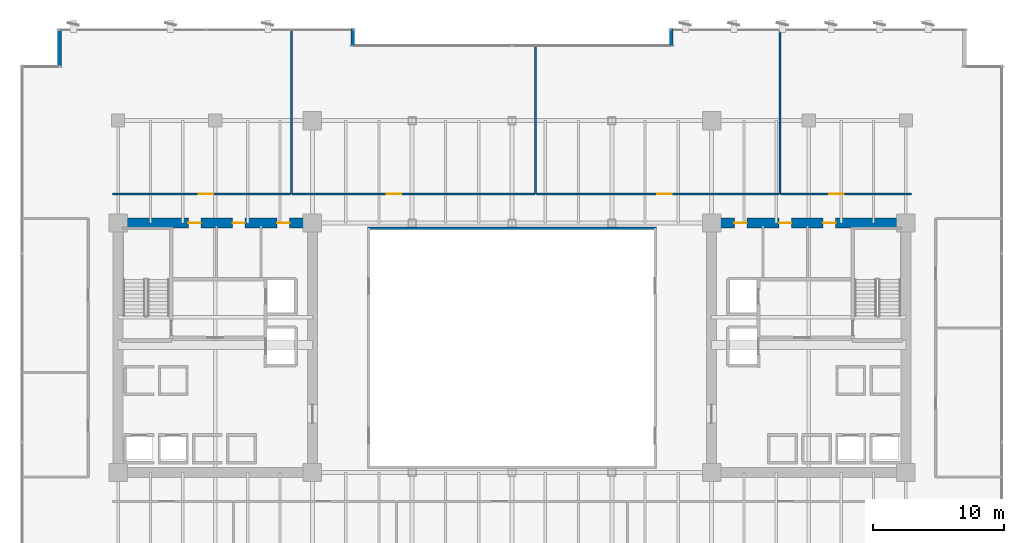
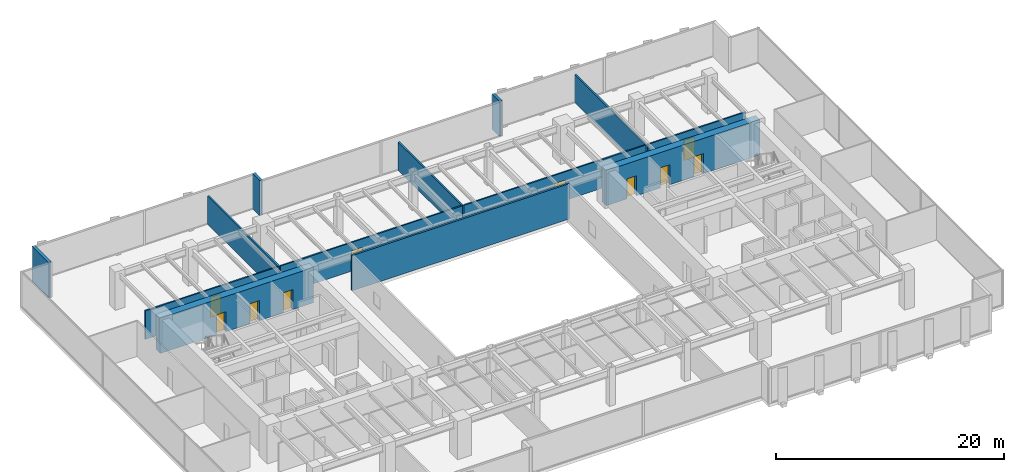
# One storey, part 31 of 36: 13 walls, 10 doors, 10 openings.
"""IFC4 building model written with IfcOpenShell, lengths in metres."""

from ifc_helpers import new_model, si_unit, direction, frame, frame_2d, origin, place, context, subcontext, project, spatial, rectangle, extrude, source, transform, mapped, material, layer, layer_set, type_object, type_shapes, element, fill, save


model = new_model("IFC4")

# Units and contexts
model_context = context("Model", 3, precision=1e-05, world=origin(), true_north=direction((0.0, 1.0)))
body_context = subcontext(model_context, "Body", "Model", "MODEL_VIEW")
ifc_project = project(units=[si_unit("LENGTHUNIT", "METRE"), si_unit("AREAUNIT", "SQUARE_METRE"), si_unit("VOLUMEUNIT", "CUBIC_METRE"), si_unit("PLANEANGLEUNIT", "RADIAN"), si_unit("MASSUNIT", "GRAM", prefix="KILO")], contexts=[model_context])

# Site, building, storey
site_placement = place(None, origin())
site = spatial("IfcSite", under=ifc_project, at=site_placement, CompositionType="ELEMENT")
building_placement = place(site_placement, origin())
building = spatial("IfcBuilding", under=site, at=building_placement, Name="Haelvirn Gate Laboratories", CompositionType="ELEMENT")
storey_placement = place(building_placement, frame((0.0, 0.0, 29.300048828125)))
storey = spatial("IfcBuildingStorey", under=building, at=storey_placement, Name="L07", CompositionType="ELEMENT", Elevation=29.300048828125)

# Walls
ifc_material_1 = material(Name="Thermally-broken bronze aluminium rainscreen & mineral wool", Category="aluminium")
ifc_layer_1 = layer(ifc_material_1, 0.280029296875, Name="EW-TERR-280")
ifc_layer_set_1 = layer_set([ifc_layer_1], Name="Thermally-broken bronze aluminium rainscreen & mineral wool")
wall_type_1 = type_object("IfcWallType", Name="EW-TERR-280", PredefinedType="STANDARD", material=ifc_layer_set_1)
for number, where, z_axis, x_axis, name in (
    (1, (49.5400390625, 48.60009765625, 0.0), (0.0, 0.0, 1.0), (0.0, -1.0, 0.0), "L07 Atrium Recess Bronze Return Wall 11"),
    (2, (25.260009765625, 47.31201171875, 0.0), (0.0, 0.0, 1.0), (0.0, 1.0, 0.0), "L07 Atrium Recess Bronze Return Wall 13"),
):
    element("IfcWall", number, at=place(storey_placement, frame(where, z_axis=z_axis, x_axis=x_axis)), inside=storey, type_object=wall_type_1, Name=name, PredefinedType="STANDARD", context=body_context, shape_type="SweptSolid", body=[
        extrude(rectangle(XDim=1.2880859375, YDim=0.280029296875, at=frame_2d((0.64404296875, 0.0))), origin(), (0.0, 0.0, 1.0), 3.780029296875),
    ])
wall_1_placement = place(storey_placement, frame((2.93994140625, 48.60009765625, 0.0), z_axis=(0.0, 0.0, 1.0), x_axis=(0.0, -1.0, 0.0)))
element("IfcWall", 3, at=wall_1_placement, inside=storey, type_object=wall_type_1, Name="L07 Atrium Recess Bronze Return Wall 15", PredefinedType="STANDARD", context=body_context, shape_type="SweptSolid", body=[
    extrude(rectangle(XDim=2.88818359375, YDim=0.280029296875, at=frame_2d((1.444091796875, 0.0))), origin(), (0.0, 0.0, 1.0), 3.780029296875),
])
ifc_material_2 = material(Name="Double-layer acoustic gypsum laboratory partition", Category="gypsum")
ifc_layer_2 = layer(ifc_material_2, 0.159912109375, Name="IW-ACOUST-160")
ifc_layer_set_2 = layer_set([ifc_layer_2], Name="Double-layer acoustic gypsum laboratory partition")
wall_type_2 = type_object("IfcWallType", Name="IW-ACOUST-160", PredefinedType="PARTITIONING", material=ifc_layer_set_2)
wall_2_placement = place(storey_placement, frame((20.60009765625, 36.010009765625, 0.0), z_axis=(0.0, 0.0, 1.0), x_axis=(0.0, 1.0, 0.0)))
element("IfcWall", 4, at=wall_2_placement, inside=storey, type_object=wall_type_2, Name="L07 Interior Wall IW-L07-NDIV-01", PredefinedType="PARTITIONING", context=body_context, shape_type="SweptSolid", body=[
    extrude(rectangle(XDim=12.47998046875, YDim=0.159912109375, at=frame_2d((6.239990234375, 0.0))), origin(), (0.0, 0.0, 1.0), 3.014892578125),
])
wall_3_placement = place(storey_placement, frame((39.199951171875, 36.010009765625, 0.0), z_axis=(0.0, 0.0, 1.0), x_axis=(0.0, 1.0, 0.0)))
element("IfcWall", 5, at=wall_3_placement, inside=storey, type_object=wall_type_2, Name="L07 Interior Wall IW-L07-NDIV-02", PredefinedType="PARTITIONING", context=body_context, shape_type="SweptSolid", body=[
    extrude(rectangle(XDim=11.280029296875, YDim=0.159912109375, at=frame_2d((5.64013671875, 0.0))), origin(), (0.0, 0.0, 1.0), 3.014892578125),
])
wall_4_placement = place(storey_placement, frame((57.800048828125, 36.010009765625, 0.0), z_axis=(0.0, 0.0, 1.0), x_axis=(0.0, 1.0, 0.0)))
element("IfcWall", 6, at=wall_4_placement, inside=storey, type_object=wall_type_2, Name="L07 Interior Wall IW-L07-NDIV-03", PredefinedType="PARTITIONING", context=body_context, shape_type="SweptSolid", body=[
    extrude(rectangle(XDim=12.47998046875, YDim=0.159912109375, at=frame_2d((6.239990234375, 0.0))), origin(), (0.0, 0.0, 1.0), 3.014892578125),
])
ifc_material_3 = material(Name="Tempered fire-rated borosilicate glass & anodised aluminium", Category="aluminium")
ifc_layer_3 = layer(ifc_material_3, 0.195068359375, Name="IW-GLAZ-200")
ifc_layer_set_3 = layer_set([ifc_layer_3], Name="Tempered fire-rated borosilicate glass & anodised aluminium")
wall_type_3 = type_object("IfcWallType", Name="IW-GLAZ-200", PredefinedType="SOLIDWALL", material=ifc_layer_set_3)
wall_5_placement = place(storey_placement, frame((26.39990234375, 33.39990234375, 0.0), z_axis=(0.0, 0.0, 1.0), x_axis=(1.0, 0.0, 0.0)))
element("IfcWall", 7, at=wall_5_placement, inside=storey, type_object=wall_type_3, Name="L07 Interior Wall IW-L07-ATRIUM-N", PredefinedType="SOLIDWALL", context=body_context, shape_type="SweptSolid", body=[
    extrude(rectangle(XDim=22.0, YDim=0.195068359375, at=frame_2d((11.0, 0.0))), origin(), (0.0, 0.0, 1.0), 3.780029296875),
])

# Wall, opening, door
ifc_material_4 = material(Name="Acoustic mineral-wool gypsum board partition", Category="gypsum")
ifc_layer_4 = layer(ifc_material_4, 0.139892578125, Name="IW-PART-140")
ifc_layer_set_4 = layer_set([ifc_layer_4], Name="Acoustic mineral-wool gypsum board partition")
wall_type_4 = type_object("IfcWallType", Name="IW-PART-140", PredefinedType="PARTITIONING", material=ifc_layer_set_4)
wall_6_placement = place(storey_placement, frame((6.97998046875, 36.010009765625, 0.0), z_axis=(0.0, 0.0, 1.0), x_axis=(1.0, 0.0, 0.0)))
wall_6 = element("IfcWall", 8, at=wall_6_placement, inside=storey, type_object=wall_type_4, Name="L07 Interior Wall IW-L07-NCORR-01", PredefinedType="PARTITIONING", context=body_context, shape_type="SweptSolid", body=[
    extrude(rectangle(XDim=13.5400390625, YDim=0.139892578125, at=frame_2d((6.77001953125, 0.0))), origin(), (0.0, 0.0, 1.0), 3.06494140625),
])
opening_1_placement = place(wall_6_placement, frame((6.572265625, 0.0, 0.0)))
opening_1 = element("IfcOpeningElement", 9, at=opening_1_placement, cuts=wall_6, Name="Opening D1", PredefinedType="OPENING", context=body_context, shape_type="SweptSolid", body=[
    extrude(rectangle(XDim=1.10009765625, YDim=2.179931640625, at=frame_2d((0.550048828125, 1.08984375))), frame((0.0, 0.080078125, 0.0), z_axis=(0.0, -1.0, 0.0), x_axis=(1.0, 0.0, 0.0)), (0.0, 0.0, 1.0), 0.159912109375),
])
ifc_material_5 = material(Name="Vision-panel acoustic solid-core timber lab door", Category="wood")
door_type_1 = type_object("IfcDoorType", Name="DR-LAB-1100", OperationType="NOTDEFINED", PredefinedType="DOOR", material=ifc_material_5)
shared_shape_1 = source(origin(), body_context, "Body", "SweptSolid", [
    extrude(rectangle(XDim=1.10009765625, YDim=2.179931640625, at=frame_2d((0.550048828125, 1.08984375))), frame((0.0, 0.02490234375, 0.0), z_axis=(0.0, -1.0, 0.0), x_axis=(1.0, 0.0, 0.0)), (0.0, 0.0, 1.0), 0.050048828125),
])
type_shapes(door_type_1, [shared_shape_1])
door_1_placement = place(opening_1_placement, origin())
door_1 = element("IfcDoor", 10, at=door_1_placement, inside=storey, type_object=door_type_1, Name="L07 Researcher Break Pantry Door N1", OperationType="SINGLE_SWING_LEFT", OverallHeight=2.179931640625, OverallWidth=1.10009765625, PredefinedType="DOOR", context=body_context, shape_type="MappedRepresentation", body=[
    mapped(shared_shape_1, transform((0.0, 0.0, 0.0), scale=1.0)),
])
fill(opening_1, door_1)

wall_7_placement = place(storey_placement, frame((20.679931640625, 36.010009765625, 0.0), z_axis=(0.0, 0.0, 1.0), x_axis=(1.0, 0.0, 0.0)))
wall_7 = element("IfcWall", 11, at=wall_7_placement, inside=storey, type_object=wall_type_4, Name="L07 Interior Wall IW-L07-NCORR-02", PredefinedType="PARTITIONING", context=body_context, shape_type="SweptSolid", body=[
    extrude(rectangle(XDim=18.440185546875, YDim=0.139892578125, at=frame_2d((9.22021484375, 0.0))), origin(), (0.0, 0.0, 1.0), 3.06494140625),
])
opening_2_placement = place(wall_7_placement, frame((7.17236328125, 0.0, 0.0)))
opening_2 = element("IfcOpeningElement", 12, at=opening_2_placement, cuts=wall_7, Name="Opening D1", PredefinedType="OPENING", context=body_context, shape_type="SweptSolid", body=[
    extrude(rectangle(XDim=1.10009765625, YDim=2.179931640625, at=frame_2d((0.550048828125, 1.08984375))), frame((0.0, 0.080078125, 0.0), z_axis=(0.0, -1.0, 0.0), x_axis=(1.0, 0.0, 0.0)), (0.0, 0.0, 1.0), 0.159912109375),
])
door_2_placement = place(opening_2_placement, origin())
door_2 = element("IfcDoor", 13, at=door_2_placement, inside=storey, type_object=door_type_1, Name="L07 Floor Hydration & Tea Servery Door N2", OperationType="SINGLE_SWING_RIGHT", OverallHeight=2.179931640625, OverallWidth=1.10009765625, PredefinedType="DOOR", context=body_context, shape_type="MappedRepresentation", body=[
    mapped(shared_shape_1, transform((0.0, 0.0, 0.0), scale=1.0)),
])
fill(opening_2, door_2)

wall_8_placement = place(storey_placement, frame((39.280029296875, 36.010009765625, 0.0), z_axis=(0.0, 0.0, 1.0), x_axis=(1.0, 0.0, 0.0)))
wall_8 = element("IfcWall", 14, at=wall_8_placement, inside=storey, type_object=wall_type_4, Name="L07 Interior Wall IW-L07-NCORR-03", PredefinedType="PARTITIONING", context=body_context, shape_type="SweptSolid", body=[
    extrude(rectangle(XDim=18.43994140625, YDim=0.139892578125, at=frame_2d((9.219970703125, 0.0))), origin(), (0.0, 0.0, 1.0), 3.06494140625),
])
opening_3_placement = place(wall_8_placement, frame((9.169189453125, 0.0, 0.0)))
opening_3 = element("IfcOpeningElement", 15, at=opening_3_placement, cuts=wall_8, Name="Opening D1", PredefinedType="OPENING", context=body_context, shape_type="SweptSolid", body=[
    extrude(rectangle(XDim=1.10009765625, YDim=2.179931640625, at=frame_2d((0.550048828125, 1.08984375))), frame((0.0, 0.080078125, 0.0), z_axis=(0.0, -1.0, 0.0), x_axis=(1.0, 0.0, 0.0)), (0.0, 0.0, 1.0), 0.159912109375),
])
door_3_placement = place(opening_3_placement, origin())
door_3 = element("IfcDoor", 16, at=door_3_placement, inside=storey, type_object=door_type_1, Name="L07 Genomics Assay Laboratory Door N3", OperationType="SINGLE_SWING_LEFT", OverallHeight=2.179931640625, OverallWidth=1.10009765625, PredefinedType="DOOR", context=body_context, shape_type="MappedRepresentation", body=[
    mapped(shared_shape_1, transform((0.0, 0.0, 0.0), scale=1.0)),
])
fill(opening_3, door_3)

wall_9_placement = place(storey_placement, frame((57.8798828125, 36.010009765625, 0.0), z_axis=(0.0, 0.0, 1.0), x_axis=(1.0, 0.0, 0.0)))
wall_9 = element("IfcWall", 17, at=wall_9_placement, inside=storey, type_object=wall_type_4, Name="L07 Interior Wall IW-L07-NCORR-04", PredefinedType="PARTITIONING", context=body_context, shape_type="SweptSolid", body=[
    extrude(rectangle(XDim=9.940185546875, YDim=0.139892578125, at=frame_2d((4.97021484375, 0.0))), origin(), (0.0, 0.0, 1.0), 3.06494140625),
])
opening_4_placement = place(wall_9_placement, frame((3.6875, 0.0, 0.0)))
opening_4 = element("IfcOpeningElement", 18, at=opening_4_placement, cuts=wall_9, Name="Opening D1", PredefinedType="OPENING", context=body_context, shape_type="SweptSolid", body=[
    extrude(rectangle(XDim=1.10009765625, YDim=2.179931640625, at=frame_2d((0.550048828125, 1.08984375))), frame((0.0, 0.080078125, 0.0), z_axis=(0.0, -1.0, 0.0), x_axis=(1.0, 0.0, 0.0)), (0.0, 0.0, 1.0), 0.159912109375),
])
door_4_placement = place(opening_4_placement, origin())
door_4 = element("IfcDoor", 19, at=door_4_placement, inside=storey, type_object=door_type_1, Name="L07 Proteomics Mass-Spec Laboratory Door N4", OperationType="SINGLE_SWING_RIGHT", OverallHeight=2.179931640625, OverallWidth=1.10009765625, PredefinedType="DOOR", context=body_context, shape_type="MappedRepresentation", body=[
    mapped(shared_shape_1, transform((0.0, 0.0, 0.0), scale=1.0)),
])
fill(opening_4, door_4)

# Wall, openings, doors
ifc_material_6 = material(Name="Concrete C70/85", Category="concrete")
ifc_layer_5 = layer(ifc_material_6, 0.75, Name="SW-CORE-750")
ifc_layer_set_5 = layer_set([ifc_layer_5], Name="Concrete C70/85")
wall_type_5 = type_object("IfcWallType", Name="SW-CORE-750", PredefinedType="SHEAR", material=ifc_layer_set_5)
wall_10_placement = place(storey_placement, frame((7.02490234375, 33.800048828125, 0.0), z_axis=(0.0, 0.0, 1.0), x_axis=(1.0, 0.0, 0.0)))
wall_10 = element("IfcWall", 20, at=wall_10_placement, inside=storey, type_object=wall_type_5, Name="L07 W Core Shear Wall N", PredefinedType="SHEAR", context=body_context, shape_type="SweptSolid", body=[
    extrude(rectangle(XDim=15.550048828125, YDim=0.75, at=frame_2d((7.77490234375, 0.0))), origin(), (0.0, 0.0, 1.0), 3.780029296875),
])
opening_5_placement = place(wall_10_placement, frame((5.72509765625, 0.0, 0.0)))
opening_5 = element("IfcOpeningElement", 21, at=opening_5_placement, cuts=wall_10, Name="Opening FD4", PredefinedType="OPENING", context=body_context, shape_type="SweptSolid", body=[
    extrude(rectangle(XDim=0.949951171875, YDim=2.14990234375, at=frame_2d((0.47509765625, 1.074951171875))), frame((0.0, 0.385009765625, 0.0), z_axis=(0.0, -1.0, 0.0), x_axis=(1.0, 0.0, 0.0)), (0.0, 0.0, 1.0), 0.77001953125),
])
opening_6_placement = place(wall_10_placement, frame((9.090087890625, 0.0, 0.0)))
opening_6 = element("IfcOpeningElement", 22, at=opening_6_placement, cuts=wall_10, Name="Opening FD4", PredefinedType="OPENING", context=body_context, shape_type="SweptSolid", body=[
    extrude(rectangle(XDim=0.949951171875, YDim=2.14990234375, at=frame_2d((0.47509765625, 1.074951171875))), frame((0.0, 0.385009765625, 0.0), z_axis=(0.0, -1.0, 0.0), x_axis=(1.0, 0.0, 0.0)), (0.0, 0.0, 1.0), 0.77001953125),
])
opening_7_placement = place(wall_10_placement, frame((12.489990234375, 0.0, 0.0)))
opening_7 = element("IfcOpeningElement", 23, at=opening_7_placement, cuts=wall_10, Name="Opening FD4", PredefinedType="OPENING", context=body_context, shape_type="SweptSolid", body=[
    extrude(rectangle(XDim=0.949951171875, YDim=2.14990234375, at=frame_2d((0.47509765625, 1.074951171875))), frame((0.0, 0.385009765625, 0.0), z_axis=(0.0, -1.0, 0.0), x_axis=(1.0, 0.0, 0.0)), (0.0, 0.0, 1.0), 0.77001953125),
])
ifc_material_7 = material(Name="Fire-rated steel SM355 core service door", Category="steel")
door_type_2 = type_object("IfcDoorType", Name="DR-FD-950", OperationType="NOTDEFINED", PredefinedType="DOOR", material=ifc_material_7)
shared_shape_2 = source(origin(), body_context, "Body", "SweptSolid", [
    extrude(rectangle(XDim=0.949951171875, YDim=2.14990234375, at=frame_2d((0.47509765625, 1.074951171875))), frame((0.0, 0.02490234375, 0.0), z_axis=(0.0, -1.0, 0.0), x_axis=(1.0, 0.0, 0.0)), (0.0, 0.0, 1.0), 0.050048828125),
])
type_shapes(door_type_2, [shared_shape_2])
door_5_placement = place(opening_5_placement, origin())
door_5 = element("IfcDoor", 24, at=door_5_placement, inside=storey, type_object=door_type_2, Name="L07 Male Restroom Fire Door", OperationType="SINGLE_SWING_RIGHT", OverallHeight=2.14990234375, OverallWidth=0.949951171875, PredefinedType="DOOR", context=body_context, shape_type="MappedRepresentation", body=[
    mapped(shared_shape_2, transform((0.0, 0.0, 0.0), scale=1.0)),
])
fill(opening_5, door_5)
door_6_placement = place(opening_6_placement, origin())
door_6 = element("IfcDoor", 25, at=door_6_placement, inside=storey, type_object=door_type_2, Name="L07 Female Restroom Fire Door", OperationType="SINGLE_SWING_LEFT", OverallHeight=2.14990234375, OverallWidth=0.949951171875, PredefinedType="DOOR", context=body_context, shape_type="MappedRepresentation", body=[
    mapped(shared_shape_2, transform((0.0, 0.0, 0.0), scale=1.0)),
])
fill(opening_6, door_6)
door_7_placement = place(opening_7_placement, origin())
door_7 = element("IfcDoor", 26, at=door_7_placement, inside=storey, type_object=door_type_2, Name="L07 Accessible Restroom Fire Door", OperationType="SINGLE_SWING_RIGHT", OverallHeight=2.14990234375, OverallWidth=0.949951171875, PredefinedType="DOOR", context=body_context, shape_type="MappedRepresentation", body=[
    mapped(shared_shape_2, transform((0.0, 0.0, 0.0), scale=1.0)),
])
fill(opening_7, door_7)

wall_11_placement = place(storey_placement, frame((52.22509765625, 33.800048828125, 0.0), z_axis=(0.0, 0.0, 1.0), x_axis=(1.0, 0.0, 0.0)))
wall_11 = element("IfcWall", 27, at=wall_11_placement, inside=storey, type_object=wall_type_5, Name="L07 E Core Shear Wall N", PredefinedType="SHEAR", context=body_context, shape_type="SweptSolid", body=[
    extrude(rectangle(XDim=15.5498046875, YDim=0.75, at=frame_2d((7.77490234375, 0.0))), origin(), (0.0, 0.0, 1.0), 3.780029296875),
])
opening_8_placement = place(wall_11_placement, frame((8.875, 0.0, 0.0)))
opening_8 = element("IfcOpeningElement", 28, at=opening_8_placement, cuts=wall_11, Name="Opening FD4", PredefinedType="OPENING", context=body_context, shape_type="SweptSolid", body=[
    extrude(rectangle(XDim=0.949951171875, YDim=2.14990234375, at=frame_2d((0.47509765625, 1.074951171875))), frame((0.0, 0.385009765625, 0.0), z_axis=(0.0, -1.0, 0.0), x_axis=(1.0, 0.0, 0.0)), (0.0, 0.0, 1.0), 0.77001953125),
])
opening_9_placement = place(wall_11_placement, frame((5.510009765625, 0.0, 0.0)))
opening_9 = element("IfcOpeningElement", 29, at=opening_9_placement, cuts=wall_11, Name="Opening FD4", PredefinedType="OPENING", context=body_context, shape_type="SweptSolid", body=[
    extrude(rectangle(XDim=0.949951171875, YDim=2.14990234375, at=frame_2d((0.47509765625, 1.074951171875))), frame((0.0, 0.385009765625, 0.0), z_axis=(0.0, -1.0, 0.0), x_axis=(1.0, 0.0, 0.0)), (0.0, 0.0, 1.0), 0.77001953125),
])
opening_10_placement = place(wall_11_placement, frame((2.110107421875, 0.0, 0.0)))
opening_10 = element("IfcOpeningElement", 30, at=opening_10_placement, cuts=wall_11, Name="Opening FD4", PredefinedType="OPENING", context=body_context, shape_type="SweptSolid", body=[
    extrude(rectangle(XDim=0.949951171875, YDim=2.14990234375, at=frame_2d((0.47509765625, 1.074951171875))), frame((0.0, 0.385009765625, 0.0), z_axis=(0.0, -1.0, 0.0), x_axis=(1.0, 0.0, 0.0)), (0.0, 0.0, 1.0), 0.77001953125),
])
door_8_placement = place(opening_8_placement, origin())
door_8 = element("IfcDoor", 31, at=door_8_placement, inside=storey, type_object=door_type_2, Name="L07 Male Restroom Fire Door", OperationType="SINGLE_SWING_RIGHT", OverallHeight=2.14990234375, OverallWidth=0.949951171875, PredefinedType="DOOR", context=body_context, shape_type="MappedRepresentation", body=[
    mapped(shared_shape_2, transform((0.0, 0.0, 0.0), scale=1.0)),
])
fill(opening_8, door_8)
door_9_placement = place(opening_9_placement, origin())
door_9 = element("IfcDoor", 32, at=door_9_placement, inside=storey, type_object=door_type_2, Name="L07 Female Restroom Fire Door", OperationType="SINGLE_SWING_LEFT", OverallHeight=2.14990234375, OverallWidth=0.949951171875, PredefinedType="DOOR", context=body_context, shape_type="MappedRepresentation", body=[
    mapped(shared_shape_2, transform((0.0, 0.0, 0.0), scale=1.0)),
])
fill(opening_9, door_9)
door_10_placement = place(opening_10_placement, origin())
door_10 = element("IfcDoor", 33, at=door_10_placement, inside=storey, type_object=door_type_2, Name="L07 Accessible Restroom Fire Door", OperationType="SINGLE_SWING_RIGHT", OverallHeight=2.14990234375, OverallWidth=0.949951171875, PredefinedType="DOOR", context=body_context, shape_type="MappedRepresentation", body=[
    mapped(shared_shape_2, transform((0.0, 0.0, 0.0), scale=1.0)),
])
fill(opening_10, door_10)

save(model, "model.ifc")
